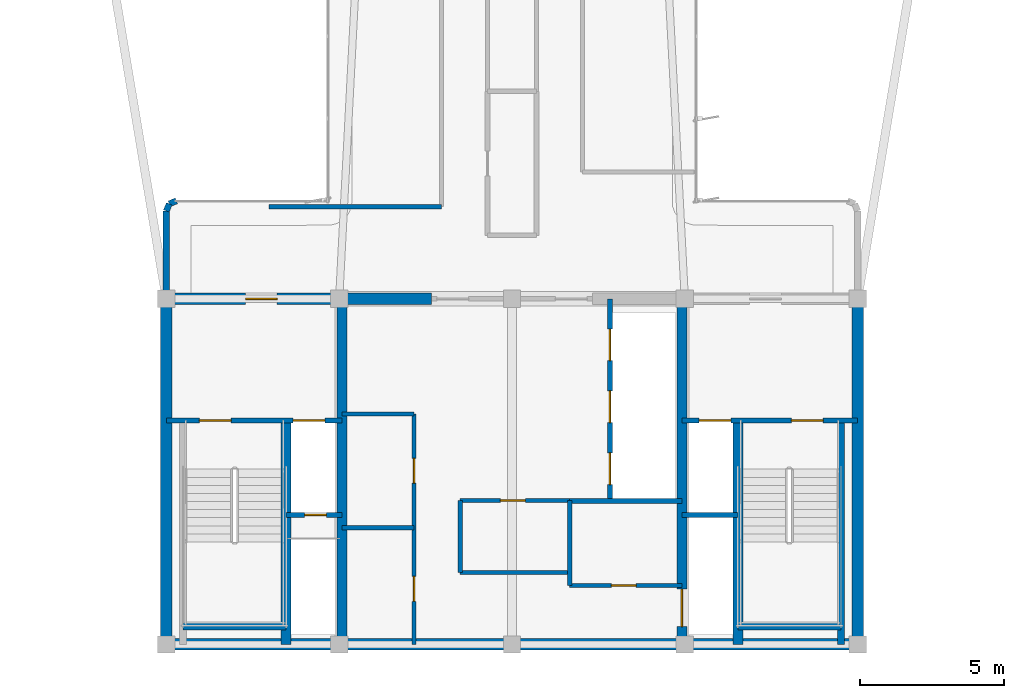
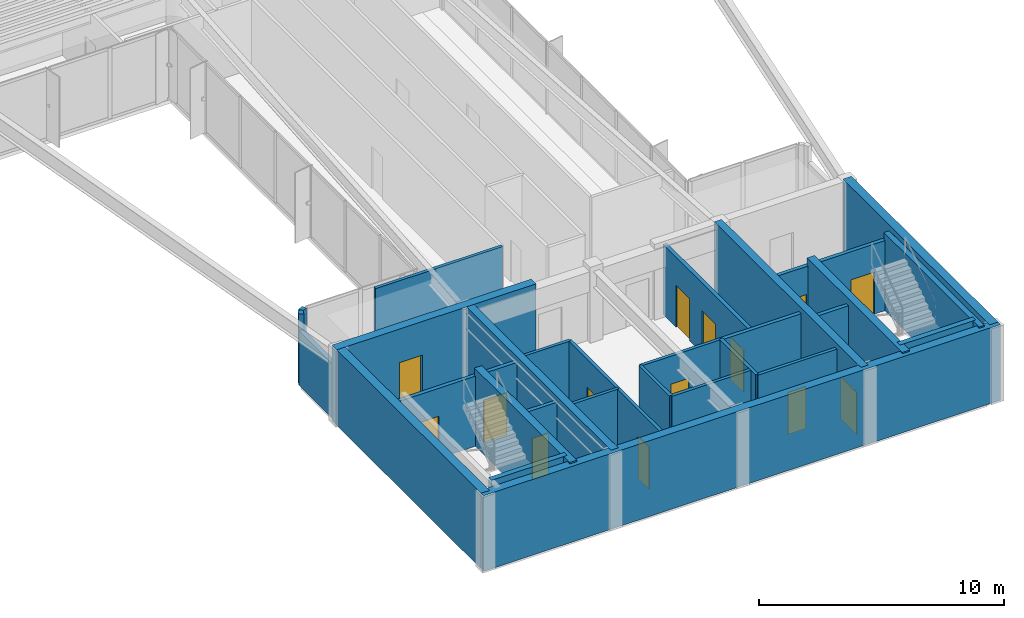
# One storey, part 10 of 15: 29 walls, 14 doors, 14 openings.
"""IFC4 building model written with IfcOpenShell, lengths in metres."""

from ifc_helpers import new_model, si_unit, direction, frame, frame_2d, origin, origin_2d, place, context, subcontext, project, spatial, rectangle, extrude, source, transform, mapped, material, layer, layer_set, type_object, element, fill, save


model = new_model("IFC4")

# Units and contexts
model_context = context("Model", 3, precision=1e-05, world=origin(), true_north=direction((0.0, 1.0)))
body_context = subcontext(model_context, "Body", "Model", "MODEL_VIEW")
ifc_project = project(units=[si_unit("LENGTHUNIT", "METRE"), si_unit("AREAUNIT", "SQUARE_METRE"), si_unit("VOLUMEUNIT", "CUBIC_METRE"), si_unit("PLANEANGLEUNIT", "RADIAN"), si_unit("MASSUNIT", "GRAM", prefix="KILO")], contexts=[model_context])

# Site, building, storey
site_placement = place(None, origin())
site = spatial("IfcSite", under=ifc_project, at=site_placement, CompositionType="ELEMENT")
building_placement = place(site_placement, origin())
building = spatial("IfcBuilding", under=site, at=building_placement, Name="Brelvock Crest Care Tower", CompositionType="ELEMENT")
storey_placement = place(building_placement, frame((0.0, 0.0, 260.820068359375)))
storey = spatial("IfcBuildingStorey", under=building, at=storey_placement, Name="L66", CompositionType="ELEMENT", Elevation=260.820068359375)

# Walls
ifc_material_1 = material(Name="Concrete S65 (65 MPa)", Category="concrete")
ifc_layer_1 = layer(ifc_material_1, 0.39990234375, Name="WL-CS4")
ifc_layer_set_1 = layer_set([ifc_layer_1], Name="Concrete S65 (65 MPa)")
wall_type_1 = type_object("IfcWallType", Name="WL-CS4", PredefinedType="SHEAR", material=ifc_layer_set_1)
wall_1_placement = place(storey_placement, frame((48.199951171875, 6.0, 0.0), z_axis=(0.0, 0.0, 1.0), x_axis=(-1.0, 0.0, 0.0)))
element("IfcWall", 1, at=wall_1_placement, inside=storey, type_object=wall_type_1, Name="L66 Core South Shear Wall", PredefinedType="SHEAR", context=body_context, shape_type="SweptSolid", body=[
    extrude(rectangle(XDim=24.39990234375, YDim=0.39990234375, at=frame_2d((12.199951171875, 0.0))), origin(), (0.0, 0.0, 1.0), 3.780029296875),
])
for number, where, z_axis, x_axis, name in (
    (2, (24.0, 6.0, 0.0), (0.0, 0.0, 1.0), (0.0, 1.0, 0.0), "L66 Core West Shear Wall"),
    (3, (48.0, 18.0, 0.0), (0.0, 0.0, 1.0), (0.0, -1.0, 0.0), "L66 Core East Shear Wall"),
):
    element("IfcWall", number, at=place(storey_placement, frame(where, z_axis=z_axis, x_axis=x_axis)), inside=storey, type_object=wall_type_1, Name=name, PredefinedType="SHEAR", context=body_context, shape_type="SweptSolid", body=[
        extrude(rectangle(XDim=12.0, YDim=0.39990234375, at=frame_2d((6.0, 0.0))), origin(), (0.0, 0.0, 1.0), 3.780029296875),
    ])

# Wall, opening, door
wall_2_placement = place(storey_placement, frame((23.800048828125, 18.0, 0.0), z_axis=(0.0, 0.0, 1.0), x_axis=(1.0, 0.0, 0.0)))
wall_2 = element("IfcWall", 4, at=wall_2_placement, inside=storey, type_object=wall_type_1, Name="L66 Core North-West Shear Wall", PredefinedType="SHEAR", context=body_context, shape_type="SweptSolid", body=[
    extrude(rectangle(XDim=9.39990234375, YDim=0.39990234375, at=frame_2d((4.699951171875, 0.0))), origin(), (0.0, 0.0, 1.0), 3.780029296875),
])
opening_1_placement = place(wall_2_placement, frame((2.949951171875, 0.0, 0.0)))
opening_1 = element("IfcOpeningElement", 5, at=opening_1_placement, cuts=wall_2, Name="Opening FD-1", PredefinedType="OPENING", context=body_context, shape_type="SweptSolid", body=[
    extrude(rectangle(XDim=1.10009765625, YDim=2.10009765625, at=origin_2d()), frame((0.550048828125, 0.2099609375, 1.050048828125), z_axis=(0.0, -1.0, 0.0), x_axis=(1.0, 0.0, 0.0)), (0.0, 0.0, 1.0), 0.419921875),
])
ifc_material_2 = material(Name="Steel Grade 350", Category="steel")
door_type_1 = type_object("IfcDoorType", Name="DR-FFL1", OperationType="NOTDEFINED", PredefinedType="DOOR", material=ifc_material_2)
shared_shape_1 = source(origin(), body_context, "Body", "SweptSolid", [
    extrude(rectangle(XDim=1.10009765625, YDim=2.10009765625, at=origin_2d()), frame((0.550048828125, 0.02490234375, 1.050048828125), z_axis=(0.0, -1.0, 0.0), x_axis=(1.0, 0.0, 0.0)), (0.0, 0.0, 1.0), 0.050048828125),
])
door_1_placement = place(opening_1_placement, origin())
door_1 = element("IfcDoor", 6, at=door_1_placement, inside=storey, type_object=door_type_1, Name="L66 Firefighting Lobby FFL-1 Exit Door", OperationType="SINGLE_SWING_LEFT", OverallHeight=2.10009765625, OverallWidth=1.10009765625, PredefinedType="DOOR", context=body_context, shape_type="MappedRepresentation", body=[
    mapped(shared_shape_1, transform((0.0, 0.0, 0.0), x_axis=(1.0, 0.0, 0.0), y_axis=(0.0, 1.0, 0.0), z_axis=(0.0, 0.0, 1.0), scale=1.0)),
])
fill(opening_1, door_1)

# Wall
ifc_material_3 = material(Name="Concrete S80 (80 MPa)", Category="concrete")
ifc_layer_2 = layer(ifc_material_3, 0.35009765625, Name="WL-CS5")
ifc_layer_set_2 = layer_set([ifc_layer_2], Name="Concrete S80 (80 MPa)")
wall_type_2 = type_object("IfcWallType", Name="WL-CS5", PredefinedType="SHEAR", material=ifc_layer_set_2)
wall_3_placement = place(storey_placement, frame((30.10009765625, 6.0, 0.0), z_axis=(0.0, 0.0, 1.0), x_axis=(0.0, 1.0, 0.0)))
element("IfcWall", 7, at=wall_3_placement, inside=storey, type_object=wall_type_2, Name="L66 Core Internal Web Wall West", PredefinedType="SHEAR", context=body_context, shape_type="SweptSolid", body=[
    extrude(rectangle(XDim=12.0, YDim=0.35009765625, at=frame_2d((6.0, 0.0))), origin(), (0.0, 0.0, 1.0), 3.780029296875),
])

# Wall, opening, door
wall_4_placement = place(storey_placement, frame((41.89990234375, 18.0, 0.0), z_axis=(0.0, 0.0, 1.0), x_axis=(0.0, -1.0, 0.0)))
wall_4 = element("IfcWall", 8, at=wall_4_placement, inside=storey, type_object=wall_type_2, Name="L66 Core Internal Web Wall East", PredefinedType="SHEAR", context=body_context, shape_type="SweptSolid", body=[
    extrude(rectangle(XDim=12.0, YDim=0.35009765625, at=frame_2d((6.0, 0.0))), origin(), (0.0, 0.0, 1.0), 3.780029296875),
])
opening_2_placement = place(wall_4_placement, frame((10.080078125, 0.0, 0.0)))
opening_2 = element("IfcOpeningElement", 9, at=opening_2_placement, cuts=wall_4, Name="Opening LD-S", PredefinedType="OPENING", context=body_context, shape_type="SweptSolid", body=[
    extrude(rectangle(XDim=1.300048828125, YDim=2.10009765625, at=origin_2d()), frame((0.64990234375, 0.18505859375, 1.050048828125), z_axis=(0.0, -1.0, 0.0), x_axis=(1.0, 0.0, 0.0)), (0.0, 0.0, 1.0), 0.3701171875),
])
door_type_2 = type_object("IfcDoorType", Name="DR-LDS1", OperationType="NOTDEFINED", PredefinedType="DOOR", material=ifc_material_2)
shared_shape_2 = source(origin(), body_context, "Body", "SweptSolid", [
    extrude(rectangle(XDim=1.300048828125, YDim=2.10009765625, at=origin_2d()), frame((0.64990234375, 0.02490234375, 1.050048828125), z_axis=(0.0, -1.0, 0.0), x_axis=(1.0, 0.0, 0.0)), (0.0, 0.0, 1.0), 0.050048828125),
])
door_2_placement = place(opening_2_placement, origin())
door_2 = element("IfcDoor", 10, at=door_2_placement, inside=storey, type_object=door_type_2, Name="L66 Clinical Bed Lift SL-1 Landing Door", OperationType="SLIDING_TO_LEFT", OverallHeight=2.10009765625, OverallWidth=1.300048828125, PredefinedType="DOOR", context=body_context, shape_type="MappedRepresentation", body=[
    mapped(shared_shape_2, transform((0.0, 0.0, 0.0), x_axis=(1.0, 0.0, 0.0), y_axis=(0.0, 1.0, 0.0), z_axis=(0.0, 0.0, 1.0), scale=1.0)),
])
fill(opening_2, door_2)

# Walls
for number, where, z_axis, x_axis, name in (
    (11, (28.14990234375, 6.0, 0.0), (0.0, 0.0, 1.0), (0.0, 1.0, 0.0), "L66 Core Stair ST-1 East Shear Wall"),
    (12, (43.85009765625, 6.0, 0.0), (0.0, 0.0, 1.0), (0.0, 1.0, 0.0), "L66 Core Stair ST-2 West Shear Wall"),
):
    element("IfcWall", number, at=place(storey_placement, frame(where, z_axis=z_axis, x_axis=x_axis)), inside=storey, type_object=wall_type_2, Name=name, PredefinedType="SHEAR", context=body_context, shape_type="SweptSolid", body=[
        extrude(rectangle(XDim=7.780029296875, YDim=0.35009765625, at=frame_2d((3.89013671875, 0.0))), origin(), (0.0, 0.0, 1.0), 3.849853515625),
    ])
ifc_layer_3 = layer(ifc_material_3, 0.25, Name="WL-CS6")
ifc_layer_set_3 = layer_set([ifc_layer_3], Name="Concrete S80 (80 MPa)")
wall_type_3 = type_object("IfcWallType", Name="WL-CS6", PredefinedType="SHEAR", material=ifc_layer_set_3)
wall_5_placement = place(storey_placement, frame((24.580078125, 6.6201171875, 0.0), z_axis=(0.0, 0.0, 1.0), x_axis=(1.0, 0.0, 0.0)))
element("IfcWall", 13, at=wall_5_placement, inside=storey, type_object=wall_type_3, Name="L66 Core Stair ST-1 South Shear Wall", PredefinedType="SHEAR", context=body_context, shape_type="SweptSolid", body=[
    extrude(rectangle(XDim=3.56982421875, YDim=0.25, at=frame_2d((1.784912109375, 0.0))), origin(), (0.0, 0.0, 1.0), 3.849853515625),
])
wall_6_placement = place(storey_placement, frame((47.419921875, 6.0, 0.0), z_axis=(0.0, 0.0, 1.0), x_axis=(0.0, 1.0, 0.0)))
element("IfcWall", 14, at=wall_6_placement, inside=storey, type_object=wall_type_3, Name="L66 Core Stair ST-2 East Shear Wall", PredefinedType="SHEAR", context=body_context, shape_type="SweptSolid", body=[
    extrude(rectangle(XDim=7.780029296875, YDim=0.25, at=frame_2d((3.89013671875, 0.0))), origin(), (0.0, 0.0, 1.0), 3.849853515625),
])
wall_7_placement = place(storey_placement, frame((43.85009765625, 6.6201171875, 0.0), z_axis=(0.0, 0.0, 1.0), x_axis=(1.0, 0.0, 0.0)))
element("IfcWall", 15, at=wall_7_placement, inside=storey, type_object=wall_type_3, Name="L66 Core Stair ST-2 South Shear Wall", PredefinedType="SHEAR", context=body_context, shape_type="SweptSolid", body=[
    extrude(rectangle(XDim=3.56982421875, YDim=0.25, at=frame_2d((1.784912109375, 0.0))), origin(), (0.0, 0.0, 1.0), 3.849853515625),
])
ifc_material_4 = material(Name="Precast concrete N40 (40 MPa)", Category="concrete")
ifc_layer_4 = layer(ifc_material_4, 0.215087890625, Name="WL-EX2")
ifc_layer_set_4 = layer_set([ifc_layer_4], Name="Precast concrete N40 (40 MPa)")
wall_type_4 = type_object("IfcWallType", Name="WL-EX2", PredefinedType="SOLIDWALL", material=ifc_layer_set_4)
wall_8_placement = place(storey_placement, frame((24.0, 18.280029296875, 0.0), z_axis=(0.0, 0.0, 1.0), x_axis=(0.0, 1.0, 0.0)))
element("IfcWall", 16, at=wall_8_placement, inside=storey, type_object=wall_type_4, Name="L66 Rounded Corner Wall 07", PredefinedType="SOLIDWALL", context=body_context, shape_type="SweptSolid", body=[
    extrude(rectangle(XDim=2.77001953125, YDim=0.215087890625, at=frame_2d((1.385009765625, 0.0))), origin(), (0.0, 0.0, 1.0), 2.718017578125),
])
wall_9_placement = place(storey_placement, frame((24.0, 21.050048828125, 0.0), z_axis=(0.0, 0.0, 1.0), x_axis=(0.382673670509, 0.923883575944, 0.0)))
element("IfcWall", 17, at=wall_9_placement, inside=storey, type_object=wall_type_4, Name="L66 Rounded Corner Wall 08", PredefinedType="SOLIDWALL", context=body_context, shape_type="SweptSolid", body=[
    extrude(rectangle(XDim=0.26806640625, YDim=0.215087890625, at=frame_2d((0.134033203125, 0.0))), origin(), (0.0, 0.0, 1.0), 3.530029296875),
])
wall_10_placement = place(storey_placement, frame((24.1025390625, 21.297607421875, 0.0), z_axis=(0.0, 0.0, 1.0), x_axis=(0.924205486139, 0.381895560841, 0.0)))
element("IfcWall", 18, at=wall_10_placement, inside=storey, type_object=wall_type_4, Name="L66 Rounded Corner Wall 09", PredefinedType="SOLIDWALL", context=body_context, shape_type="SweptSolid", body=[
    extrude(rectangle(XDim=0.267822265625, YDim=0.215087890625, at=frame_2d((0.1337890625, 0.0))), origin(), (0.0, 0.0, 1.0), 3.530029296875),
])
ifc_material_5 = material(Name="Masonry Blockwork Acoustic Partition", Category="masonry")
ifc_layer_5 = layer(ifc_material_5, 0.14990234375, Name="WL-INT1")
ifc_layer_set_5 = layer_set([ifc_layer_5], Name="Masonry Blockwork Acoustic Partition")
wall_type_5 = type_object("IfcWallType", Name="WL-INT1", PredefinedType="PARTITIONING", material=ifc_layer_set_5)
wall_11_placement = place(storey_placement, frame((30.10009765625, 14.0, 0.0), z_axis=(0.0, 0.0, 1.0), x_axis=(1.0, 0.0, 0.0)))
element("IfcWall", 19, at=wall_11_placement, inside=storey, type_object=wall_type_5, Name="L66 Interior Wall WL-CRCL-N1-L66", PredefinedType="PARTITIONING", context=body_context, shape_type="SweptSolid", body=[
    extrude(rectangle(XDim=2.5, YDim=0.14990234375, at=frame_2d((1.25, 0.0))), origin(), (0.0, 0.0, 1.0), 3.5),
])
wall_12_placement = place(storey_placement, frame((34.199951171875, 8.5, 0.0), z_axis=(0.0, 0.0, 1.0), x_axis=(1.0, 0.0, 0.0)))
element("IfcWall", 20, at=wall_12_placement, inside=storey, type_object=wall_type_5, Name="L66 Interior Wall WL-CRCM-SW-L66", PredefinedType="PARTITIONING", context=body_context, shape_type="SweptSolid", body=[
    extrude(rectangle(XDim=3.800048828125, YDim=0.14990234375, at=frame_2d((1.89990234375, 0.0))), origin(), (0.0, 0.0, 1.0), 3.5),
])

# Wall, opening, door
wall_13_placement = place(storey_placement, frame((38.0, 8.050048828125, 0.0), z_axis=(0.0, 0.0, 1.0), x_axis=(1.0, 0.0, 0.0)))
wall_13 = element("IfcWall", 21, at=wall_13_placement, inside=storey, type_object=wall_type_5, Name="L66 Interior Wall WL-CRCM-SE-L66", PredefinedType="PARTITIONING", context=body_context, shape_type="SweptSolid", body=[
    extrude(rectangle(XDim=3.89990234375, YDim=0.14990234375, at=frame_2d((1.949951171875, 0.0))), origin(), (0.0, 0.0, 1.0), 3.5),
])
opening_3_placement = place(wall_13_placement, frame((1.449951171875, 0.0, 0.0)))
opening_3 = element("IfcOpeningElement", 22, at=opening_3_placement, cuts=wall_13, Name="Opening ID-1", PredefinedType="OPENING", context=body_context, shape_type="SweptSolid", body=[
    extrude(rectangle(XDim=0.860107421875, YDim=2.10009765625, at=origin_2d()), frame((0.43017578125, 0.0849609375, 1.050048828125), z_axis=(0.0, -1.0, 0.0), x_axis=(1.0, 0.0, 0.0)), (0.0, 0.0, 1.0), 0.169921875),
])
ifc_material_6 = material(Name="Engineered Hardwood Timber", Category="wood")
door_type_3 = type_object("IfcDoorType", Name="DR-INT1", OperationType="NOTDEFINED", PredefinedType="DOOR", material=ifc_material_6)
shared_shape_3 = source(origin(), body_context, "Body", "SweptSolid", [
    extrude(rectangle(XDim=0.860107421875, YDim=2.10009765625, at=origin_2d()), frame((0.43017578125, 0.02490234375, 1.050048828125), z_axis=(0.0, -1.0, 0.0), x_axis=(1.0, 0.0, 0.0)), (0.0, 0.0, 1.0), 0.050048828125),
])
door_3_placement = place(opening_3_placement, origin())
door_3 = element("IfcDoor", 23, at=door_3_placement, inside=storey, type_object=door_type_3, Name="DR-CRCM2-L66", OperationType="SINGLE_SWING_LEFT", OverallHeight=2.10009765625, OverallWidth=0.860107421875, PredefinedType="DOOR", context=body_context, shape_type="MappedRepresentation", body=[
    mapped(shared_shape_3, transform((0.0, 0.0, 0.0), x_axis=(1.0, 0.0, 0.0), y_axis=(0.0, 1.0, 0.0), z_axis=(0.0, 0.0, 1.0), scale=1.0)),
])
fill(opening_3, door_3)

# Walls
wall_14_placement = place(storey_placement, frame((34.199951171875, 8.5, 0.0), z_axis=(0.0, 0.0, 1.0), x_axis=(0.0, 1.0, 0.0)))
element("IfcWall", 24, at=wall_14_placement, inside=storey, type_object=wall_type_5, Name="L66 Interior Wall WL-CRCM-W-L66", PredefinedType="PARTITIONING", context=body_context, shape_type="SweptSolid", body=[
    extrude(rectangle(XDim=2.5, YDim=0.14990234375, at=frame_2d((1.25, 0.0))), origin(), (0.0, 0.0, 1.0), 3.5),
])
wall_15_placement = place(storey_placement, frame((38.0, 8.050048828125, 0.0), z_axis=(0.0, 0.0, 1.0), x_axis=(0.0, 1.0, 0.0)))
element("IfcWall", 25, at=wall_15_placement, inside=storey, type_object=wall_type_5, Name="L66 Interior Wall WL-CRCM-V-L66", PredefinedType="PARTITIONING", context=body_context, shape_type="SweptSolid", body=[
    extrude(rectangle(XDim=2.949951171875, YDim=0.14990234375, at=frame_2d((1.47509765625, 0.0))), origin(), (0.0, 0.0, 1.0), 3.5),
])

# Wall, opening, door
wall_16_placement = place(storey_placement, frame((34.199951171875, 11.0, 0.0), z_axis=(0.0, 0.0, 1.0), x_axis=(1.0, 0.0, 0.0)))
wall_16 = element("IfcWall", 26, at=wall_16_placement, inside=storey, type_object=wall_type_5, Name="L66 Interior Wall WL-CRCM-NW-L66", PredefinedType="PARTITIONING", context=body_context, shape_type="SweptSolid", body=[
    extrude(rectangle(XDim=3.800048828125, YDim=0.14990234375, at=frame_2d((1.89990234375, 0.0))), origin(), (0.0, 0.0, 1.0), 3.5),
])
opening_4_placement = place(wall_16_placement, frame((1.39990234375, 0.0, 0.0)))
opening_4 = element("IfcOpeningElement", 27, at=opening_4_placement, cuts=wall_16, Name="Opening ID-1", PredefinedType="OPENING", context=body_context, shape_type="SweptSolid", body=[
    extrude(rectangle(XDim=0.860107421875, YDim=2.10009765625, at=origin_2d()), frame((0.43017578125, 0.0849609375, 1.050048828125), z_axis=(0.0, -1.0, 0.0), x_axis=(1.0, 0.0, 0.0)), (0.0, 0.0, 1.0), 0.169921875),
])
door_4_placement = place(opening_4_placement, origin())
door_4 = element("IfcDoor", 28, at=door_4_placement, inside=storey, type_object=door_type_3, Name="DR-CRCM1-L66", OperationType="SINGLE_SWING_LEFT", OverallHeight=2.10009765625, OverallWidth=0.860107421875, PredefinedType="DOOR", context=body_context, shape_type="MappedRepresentation", body=[
    mapped(shared_shape_3, transform((0.0, 0.0, 0.0), x_axis=(1.0, 0.0, 0.0), y_axis=(0.0, 1.0, 0.0), z_axis=(0.0, 0.0, 1.0), scale=1.0)),
])
fill(opening_4, door_4)

# Wall
wall_17_placement = place(storey_placement, frame((30.10009765625, 10.050048828125, 0.0), z_axis=(0.0, 0.0, 1.0), x_axis=(1.0, 0.0, 0.0)))
element("IfcWall", 29, at=wall_17_placement, inside=storey, type_object=wall_type_5, Name="L66 Interior Wall WL-CSBW-S1-L66", PredefinedType="PARTITIONING", context=body_context, shape_type="SweptSolid", body=[
    extrude(rectangle(XDim=2.5, YDim=0.14990234375, at=frame_2d((1.25, 0.0))), origin(), (0.0, 0.0, 1.0), 3.5),
])

# Wall, openings, doors
wall_18_placement = place(storey_placement, frame((32.60009765625, 6.0, 0.0), z_axis=(0.0, 0.0, 1.0), x_axis=(0.0, 1.0, 0.0)))
wall_18 = element("IfcWall", 30, at=wall_18_placement, inside=storey, type_object=wall_type_5, Name="L66 Interior Wall WL-CRCL-E-L66", PredefinedType="PARTITIONING", context=body_context, shape_type="SweptSolid", body=[
    extrude(rectangle(XDim=8.0, YDim=0.14990234375, at=frame_2d((4.0, 0.0))), origin(), (0.0, 0.0, 1.0), 3.5),
])
opening_5_placement = place(wall_18_placement, frame((1.5, 0.0, 0.0)))
opening_5 = element("IfcOpeningElement", 31, at=opening_5_placement, cuts=wall_18, Name="Opening ID-1", PredefinedType="OPENING", context=body_context, shape_type="SweptSolid", body=[
    extrude(rectangle(XDim=0.860107421875, YDim=2.10009765625, at=origin_2d()), frame((0.43017578125, 0.0849609375, 1.050048828125), z_axis=(0.0, -1.0, 0.0), x_axis=(1.0, 0.0, 0.0)), (0.0, 0.0, 1.0), 0.169921875),
])
opening_6_placement = place(wall_18_placement, frame((5.60009765625, 0.0, 0.0)))
opening_6 = element("IfcOpeningElement", 32, at=opening_6_placement, cuts=wall_18, Name="Opening ID-1", PredefinedType="OPENING", context=body_context, shape_type="SweptSolid", body=[
    extrude(rectangle(XDim=0.860107421875, YDim=2.10009765625, at=origin_2d()), frame((0.43017578125, 0.0849609375, 1.050048828125), z_axis=(0.0, -1.0, 0.0), x_axis=(1.0, 0.0, 0.0)), (0.0, 0.0, 1.0), 0.169921875),
])
door_5_placement = place(opening_5_placement, origin())
door_5 = element("IfcDoor", 33, at=door_5_placement, inside=storey, type_object=door_type_3, Name="DR-CSBW-L66", OperationType="SINGLE_SWING_LEFT", OverallHeight=2.10009765625, OverallWidth=0.860107421875, PredefinedType="DOOR", context=body_context, shape_type="MappedRepresentation", body=[
    mapped(shared_shape_3, transform((0.0, 0.0, 0.0), x_axis=(1.0, 0.0, 0.0), y_axis=(0.0, 1.0, 0.0), z_axis=(0.0, 0.0, 1.0), scale=1.0)),
])
fill(opening_5, door_5)
door_6_placement = place(opening_6_placement, origin())
door_6 = element("IfcDoor", 34, at=door_6_placement, inside=storey, type_object=door_type_3, Name="DR-CRCL1-L66", OperationType="SINGLE_SWING_LEFT", OverallHeight=2.10009765625, OverallWidth=0.860107421875, PredefinedType="DOOR", context=body_context, shape_type="MappedRepresentation", body=[
    mapped(shared_shape_3, transform((0.0, 0.0, 0.0), x_axis=(1.0, 0.0, 0.0), y_axis=(0.0, 1.0, 0.0), z_axis=(0.0, 0.0, 1.0), scale=1.0)),
])
fill(opening_6, door_6)

# Walls
wall_19_placement = place(storey_placement, frame((27.5576171875, 21.199951171875, 0.0), z_axis=(0.0, 0.0, 1.0), x_axis=(1.0, 0.0, 0.0)))
element("IfcWall", 35, at=wall_19_placement, inside=storey, type_object=wall_type_5, Name="L66 Interior Wall WL-BX-L66-THRW-S", PredefinedType="PARTITIONING", context=body_context, shape_type="SweptSolid", body=[
    extrude(rectangle(XDim=5.992431640625, YDim=0.14990234375, at=frame_2d((2.99609375, 0.0))), origin(), (0.0, 0.0, 1.0), 3.5),
])
ifc_layer_6 = layer(ifc_material_5, 0.179931640625, Name="WL-SHF1")
ifc_layer_set_6 = layer_set([ifc_layer_6], Name="Masonry Blockwork Acoustic Partition")
wall_type_6 = type_object("IfcWallType", Name="WL-SHF1", PredefinedType="PARTITIONING", material=ifc_layer_set_6)
wall_20_placement = place(storey_placement, frame((38.0, 10.97998046875, 0.0), z_axis=(0.0, 0.0, 1.0), x_axis=(1.0, 0.0, 0.0)))
element("IfcWall", 36, at=wall_20_placement, inside=storey, type_object=wall_type_6, Name="L66 Interior Wall WL-CRCM-NE-L66", PredefinedType="PARTITIONING", context=body_context, shape_type="SweptSolid", body=[
    extrude(rectangle(XDim=3.89990234375, YDim=0.179931640625, at=frame_2d((1.949951171875, 0.0))), origin(), (0.0, 0.0, 1.0), 3.5),
])

# Wall, openings, doors
wall_21_placement = place(storey_placement, frame((24.0, 13.780029296875, 0.0), z_axis=(0.0, 0.0, 1.0), x_axis=(1.0, 0.0, 0.0)))
wall_21 = element("IfcWall", 37, at=wall_21_placement, inside=storey, type_object=wall_type_6, Name="L66 Interior Wall WL-ST1-N-L66", PredefinedType="PARTITIONING", context=body_context, shape_type="SweptSolid", body=[
    extrude(rectangle(XDim=6.10009765625, YDim=0.179931640625, at=frame_2d((3.050048828125, 0.0))), origin(), (0.0, 0.0, 1.0), 3.5),
])
opening_7_placement = place(wall_21_placement, frame((1.14990234375, 0.0, 0.0)))
opening_7 = element("IfcOpeningElement", 38, at=opening_7_placement, cuts=wall_21, Name="Opening SD-1", PredefinedType="OPENING", context=body_context, shape_type="SweptSolid", body=[
    extrude(rectangle(XDim=1.10009765625, YDim=2.10009765625, at=origin_2d()), frame((0.550048828125, 0.10009765625, 1.050048828125), z_axis=(0.0, -1.0, 0.0), x_axis=(1.0, 0.0, 0.0)), (0.0, 0.0, 1.0), 0.199951171875),
])
opening_8_placement = place(wall_21_placement, frame((4.39990234375, 0.0, 0.0)))
opening_8 = element("IfcOpeningElement", 39, at=opening_8_placement, cuts=wall_21, Name="Opening LD", PredefinedType="OPENING", context=body_context, shape_type="SweptSolid", body=[
    extrude(rectangle(XDim=1.10009765625, YDim=2.10009765625, at=origin_2d()), frame((0.550048828125, 0.10009765625, 1.050048828125), z_axis=(0.0, -1.0, 0.0), x_axis=(1.0, 0.0, 0.0)), (0.0, 0.0, 1.0), 0.199951171875),
])
door_type_4 = type_object("IfcDoorType", Name="DR-ST1", OperationType="NOTDEFINED", PredefinedType="DOOR", material=ifc_material_2)
shared_shape_4 = source(origin(), body_context, "Body", "SweptSolid", [
    extrude(rectangle(XDim=1.10009765625, YDim=2.10009765625, at=origin_2d()), frame((0.550048828125, 0.02490234375, 1.050048828125), z_axis=(0.0, -1.0, 0.0), x_axis=(1.0, 0.0, 0.0)), (0.0, 0.0, 1.0), 0.050048828125),
])
door_7_placement = place(opening_7_placement, origin())
door_7 = element("IfcDoor", 40, at=door_7_placement, inside=storey, type_object=door_type_4, Name="L66 Fire Stair ST-1 Door", OperationType="SINGLE_SWING_LEFT", OverallHeight=2.10009765625, OverallWidth=1.10009765625, PredefinedType="DOOR", context=body_context, shape_type="MappedRepresentation", body=[
    mapped(shared_shape_4, transform((0.0, 0.0, 0.0), x_axis=(1.0, 0.0, 0.0), y_axis=(0.0, 1.0, 0.0), z_axis=(0.0, 0.0, 1.0), scale=1.0)),
])
fill(opening_7, door_7)
door_type_5 = type_object("IfcDoorType", Name="DR-LD1", OperationType="NOTDEFINED", PredefinedType="DOOR", material=ifc_material_2)
shared_shape_5 = source(origin(), body_context, "Body", "SweptSolid", [
    extrude(rectangle(XDim=1.10009765625, YDim=2.10009765625, at=origin_2d()), frame((0.550048828125, 0.02490234375, 1.050048828125), z_axis=(0.0, -1.0, 0.0), x_axis=(1.0, 0.0, 0.0)), (0.0, 0.0, 1.0), 0.050048828125),
])
door_8_placement = place(opening_8_placement, origin())
door_8 = element("IfcDoor", 41, at=door_8_placement, inside=storey, type_object=door_type_5, Name="L66 Firefighting Lift FFL-1 Landing Door", OperationType="SLIDING_TO_LEFT", OverallHeight=2.10009765625, OverallWidth=1.10009765625, PredefinedType="DOOR", context=body_context, shape_type="MappedRepresentation", body=[
    mapped(shared_shape_5, transform((0.0, 0.0, 0.0), x_axis=(1.0, 0.0, 0.0), y_axis=(0.0, 1.0, 0.0), z_axis=(0.0, 0.0, 1.0), scale=1.0)),
])
fill(opening_8, door_8)

# Wall, opening, door
wall_22_placement = place(storey_placement, frame((28.14990234375, 10.5, 0.0), z_axis=(0.0, 0.0, 1.0), x_axis=(1.0, 0.0, 0.0)))
wall_22 = element("IfcWall", 42, at=wall_22_placement, inside=storey, type_object=wall_type_6, Name="L66 Interior Wall WL-FFH1-S-L66", PredefinedType="PARTITIONING", context=body_context, shape_type="SweptSolid", body=[
    extrude(rectangle(XDim=1.9501953125, YDim=0.179931640625, at=frame_2d((0.97509765625, 0.0))), origin(), (0.0, 0.0, 1.0), 3.5),
])
opening_9_placement = place(wall_22_placement, frame((0.64990234375, 0.0, 0.0)))
opening_9 = element("IfcOpeningElement", 43, at=opening_9_placement, cuts=wall_22, Name="Opening RD-1", PredefinedType="OPENING", context=body_context, shape_type="SweptSolid", body=[
    extrude(rectangle(XDim=0.760009765625, YDim=2.050048828125, at=origin_2d()), frame((0.3798828125, 0.10009765625, 1.02490234375), z_axis=(0.0, -1.0, 0.0), x_axis=(1.0, 0.0, 0.0)), (0.0, 0.0, 1.0), 0.199951171875),
])
door_type_6 = type_object("IfcDoorType", Name="DR-RIS1", OperationType="NOTDEFINED", PredefinedType="DOOR", material=ifc_material_2)
shared_shape_6 = source(origin(), body_context, "Body", "SweptSolid", [
    extrude(rectangle(XDim=0.760009765625, YDim=2.050048828125, at=origin_2d()), frame((0.3798828125, 0.02490234375, 1.02490234375), z_axis=(0.0, -1.0, 0.0), x_axis=(1.0, 0.0, 0.0)), (0.0, 0.0, 1.0), 0.050048828125),
])
door_9_placement = place(opening_9_placement, origin())
door_9 = element("IfcDoor", 44, at=door_9_placement, inside=storey, type_object=door_type_6, Name="L66 Wet Fire Riser Access Door", OperationType="SINGLE_SWING_LEFT", OverallHeight=2.050048828125, OverallWidth=0.760009765625, PredefinedType="DOOR", context=body_context, shape_type="MappedRepresentation", body=[
    mapped(shared_shape_6, transform((0.0, 0.0, 0.0), x_axis=(1.0, 0.0, 0.0), y_axis=(0.0, 1.0, 0.0), z_axis=(0.0, 0.0, 1.0), scale=1.0)),
])
fill(opening_9, door_9)

# Wall, openings, doors
wall_23_placement = place(storey_placement, frame((41.89990234375, 13.780029296875, 0.0), z_axis=(0.0, 0.0, 1.0), x_axis=(1.0, 0.0, 0.0)))
wall_23 = element("IfcWall", 45, at=wall_23_placement, inside=storey, type_object=wall_type_6, Name="L66 Interior Wall WL-ST2-N-L66", PredefinedType="PARTITIONING", context=body_context, shape_type="SweptSolid", body=[
    extrude(rectangle(XDim=6.10009765625, YDim=0.179931640625, at=frame_2d((3.050048828125, 0.0))), origin(), (0.0, 0.0, 1.0), 3.5),
])
opening_10_placement = place(wall_23_placement, frame((0.60009765625, 0.0, 0.0)))
opening_10 = element("IfcOpeningElement", 46, at=opening_10_placement, cuts=wall_23, Name="Opening LD", PredefinedType="OPENING", context=body_context, shape_type="SweptSolid", body=[
    extrude(rectangle(XDim=1.10009765625, YDim=2.10009765625, at=origin_2d()), frame((0.550048828125, 0.10009765625, 1.050048828125), z_axis=(0.0, -1.0, 0.0), x_axis=(1.0, 0.0, 0.0)), (0.0, 0.0, 1.0), 0.199951171875),
])
opening_11_placement = place(wall_23_placement, frame((3.800048828125, 0.0, 0.0)))
opening_11 = element("IfcOpeningElement", 47, at=opening_11_placement, cuts=wall_23, Name="Opening SD-1", PredefinedType="OPENING", context=body_context, shape_type="SweptSolid", body=[
    extrude(rectangle(XDim=1.10009765625, YDim=2.10009765625, at=origin_2d()), frame((0.550048828125, 0.10009765625, 1.050048828125), z_axis=(0.0, -1.0, 0.0), x_axis=(1.0, 0.0, 0.0)), (0.0, 0.0, 1.0), 0.199951171875),
])
door_10_placement = place(opening_11_placement, origin())
door_10 = element("IfcDoor", 48, at=door_10_placement, inside=storey, type_object=door_type_4, Name="L66 Fire Stair ST-2 Door", OperationType="SINGLE_SWING_RIGHT", OverallHeight=2.10009765625, OverallWidth=1.10009765625, PredefinedType="DOOR", context=body_context, shape_type="MappedRepresentation", body=[
    mapped(shared_shape_4, transform((0.0, 0.0, 0.0), x_axis=(1.0, 0.0, 0.0), y_axis=(0.0, 1.0, 0.0), z_axis=(0.0, 0.0, 1.0), scale=1.0)),
])
fill(opening_11, door_10)
door_11_placement = place(opening_10_placement, origin())
door_11 = element("IfcDoor", 49, at=door_11_placement, inside=storey, type_object=door_type_5, Name="L66 Firefighting Lift FFL-2 Landing Door", OperationType="SLIDING_TO_RIGHT", OverallHeight=2.10009765625, OverallWidth=1.10009765625, PredefinedType="DOOR", context=body_context, shape_type="MappedRepresentation", body=[
    mapped(shared_shape_5, transform((0.0, 0.0, 0.0), x_axis=(1.0, 0.0, 0.0), y_axis=(0.0, 1.0, 0.0), z_axis=(0.0, 0.0, 1.0), scale=1.0)),
])
fill(opening_10, door_11)

# Wall
wall_24_placement = place(storey_placement, frame((41.89990234375, 10.5, 0.0), z_axis=(0.0, 0.0, 1.0), x_axis=(1.0, 0.0, 0.0)))
element("IfcWall", 50, at=wall_24_placement, inside=storey, type_object=wall_type_6, Name="L66 Interior Wall WL-FFH2-S-L66", PredefinedType="PARTITIONING", context=body_context, shape_type="SweptSolid", body=[
    extrude(rectangle(XDim=1.9501953125, YDim=0.179931640625, at=frame_2d((0.97509765625, 0.0))), origin(), (0.0, 0.0, 1.0), 3.5),
])

# Wall, openings, doors
wall_25_placement = place(storey_placement, frame((39.39990234375, 11.0, 0.0), z_axis=(0.0, 0.0, 1.0), x_axis=(0.0, 1.0, 0.0)))
wall_25 = element("IfcWall", 51, at=wall_25_placement, inside=storey, type_object=wall_type_6, Name="L66 Interior Wall WL-PLH-BANK-L66", PredefinedType="PARTITIONING", context=body_context, shape_type="SweptSolid", body=[
    extrude(rectangle(XDim=7.0, YDim=0.179931640625, at=frame_2d((3.5, 0.0))), origin(), (0.0, 0.0, 1.0), 3.5),
])
opening_12_placement = place(wall_25_placement, frame((0.550048828125, 0.0, 0.0)))
opening_12 = element("IfcOpeningElement", 52, at=opening_12_placement, cuts=wall_25, Name="Opening LD", PredefinedType="OPENING", context=body_context, shape_type="SweptSolid", body=[
    extrude(rectangle(XDim=1.10009765625, YDim=2.10009765625, at=origin_2d()), frame((0.550048828125, 0.10009765625, 1.050048828125), z_axis=(0.0, -1.0, 0.0), x_axis=(1.0, 0.0, 0.0)), (0.0, 0.0, 1.0), 0.199951171875),
])
opening_13_placement = place(wall_25_placement, frame((2.699951171875, 0.0, 0.0)))
opening_13 = element("IfcOpeningElement", 53, at=opening_13_placement, cuts=wall_25, Name="Opening LD", PredefinedType="OPENING", context=body_context, shape_type="SweptSolid", body=[
    extrude(rectangle(XDim=1.10009765625, YDim=2.10009765625, at=origin_2d()), frame((0.550048828125, 0.10009765625, 1.050048828125), z_axis=(0.0, -1.0, 0.0), x_axis=(1.0, 0.0, 0.0)), (0.0, 0.0, 1.0), 0.199951171875),
])
opening_14_placement = place(wall_25_placement, frame((4.85009765625, 0.0, 0.0)))
opening_14 = element("IfcOpeningElement", 54, at=opening_14_placement, cuts=wall_25, Name="Opening LD", PredefinedType="OPENING", context=body_context, shape_type="SweptSolid", body=[
    extrude(rectangle(XDim=1.10009765625, YDim=2.10009765625, at=origin_2d()), frame((0.550048828125, 0.10009765625, 1.050048828125), z_axis=(0.0, -1.0, 0.0), x_axis=(1.0, 0.0, 0.0)), (0.0, 0.0, 1.0), 0.199951171875),
])
door_12_placement = place(opening_12_placement, origin())
door_12 = element("IfcDoor", 55, at=door_12_placement, inside=storey, type_object=door_type_5, Name="L66 Lift PL-H1 Landing Door", OperationType="SLIDING_TO_RIGHT", OverallHeight=2.10009765625, OverallWidth=1.10009765625, PredefinedType="DOOR", context=body_context, shape_type="MappedRepresentation", body=[
    mapped(shared_shape_5, transform((0.0, 0.0, 0.0), x_axis=(1.0, 0.0, 0.0), y_axis=(0.0, 1.0, 0.0), z_axis=(0.0, 0.0, 1.0), scale=1.0)),
])
fill(opening_12, door_12)
door_13_placement = place(opening_13_placement, origin())
door_13 = element("IfcDoor", 56, at=door_13_placement, inside=storey, type_object=door_type_5, Name="L66 Lift PL-H2 Landing Door", OperationType="SLIDING_TO_RIGHT", OverallHeight=2.10009765625, OverallWidth=1.10009765625, PredefinedType="DOOR", context=body_context, shape_type="MappedRepresentation", body=[
    mapped(shared_shape_5, transform((0.0, 0.0, 0.0), x_axis=(1.0, 0.0, 0.0), y_axis=(0.0, 1.0, 0.0), z_axis=(0.0, 0.0, 1.0), scale=1.0)),
])
fill(opening_13, door_13)
door_14_placement = place(opening_14_placement, origin())
door_14 = element("IfcDoor", 57, at=door_14_placement, inside=storey, type_object=door_type_5, Name="L66 Lift PL-H3 Landing Door", OperationType="SLIDING_TO_RIGHT", OverallHeight=2.10009765625, OverallWidth=1.10009765625, PredefinedType="DOOR", context=body_context, shape_type="MappedRepresentation", body=[
    mapped(shared_shape_5, transform((0.0, 0.0, 0.0), x_axis=(1.0, 0.0, 0.0), y_axis=(0.0, 1.0, 0.0), z_axis=(0.0, 0.0, 1.0), scale=1.0)),
])
fill(opening_14, door_14)

save(model, "model.ifc")
